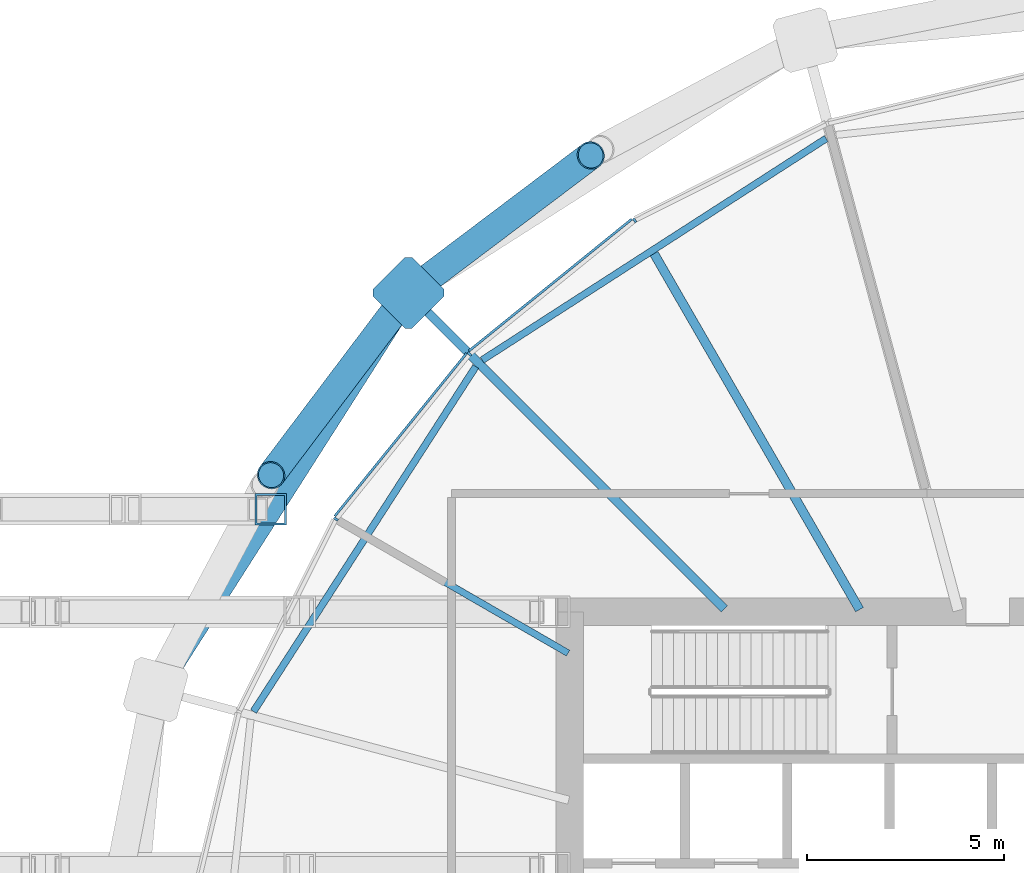
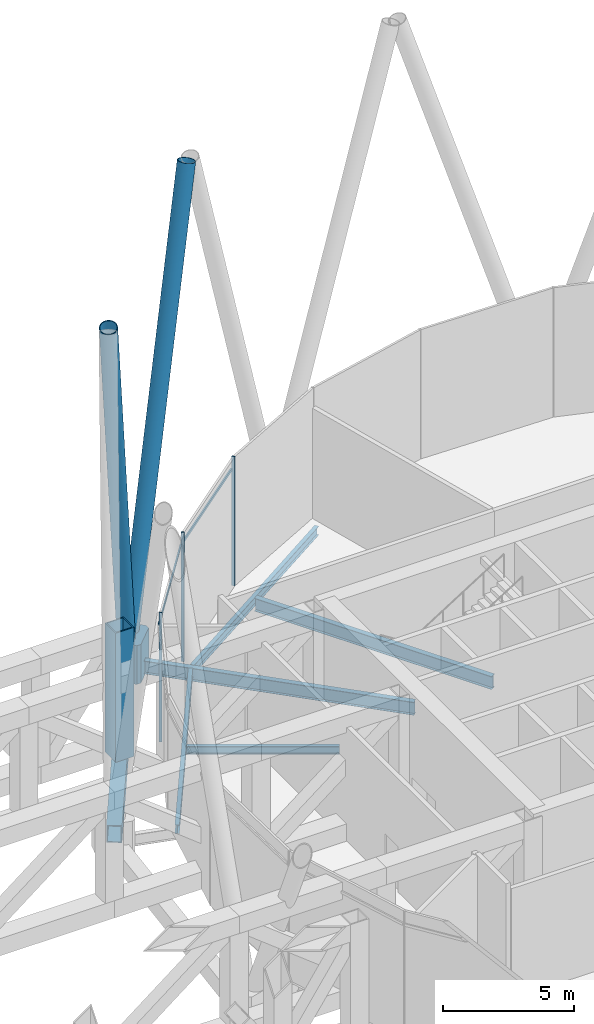
# One storey, part 25 of 39: 9 members, 6 beams, 1 element without a shape of its own.
"""IFC4 building model written with IfcOpenShell, lengths in metres."""

from ifc_helpers import new_model, si_unit, direction, frame, origin, origin_2d, place, context, subcontext, project, spatial, polyline, rectangle, hollow_rectangle, hollow_circle, i_section, outline, extrude, material, material_profile, profile_set, type_object, element, aggregate, save


model = new_model("IFC4")

# Units and contexts
model_context = context("Model", 3, precision=1e-05, world=origin(), true_north=direction((0.0, 1.0)))
body_context = subcontext(model_context, "Body", "Model", "MODEL_VIEW")
ifc_project = project(units=[si_unit("LENGTHUNIT", "METRE"), si_unit("AREAUNIT", "SQUARE_METRE"), si_unit("VOLUMEUNIT", "CUBIC_METRE"), si_unit("PLANEANGLEUNIT", "RADIAN"), si_unit("MASSUNIT", "GRAM", prefix="KILO")], contexts=[model_context])

# Site, building, storey
site_placement = place(None, origin())
site = spatial("IfcSite", under=ifc_project, at=site_placement, CompositionType="ELEMENT")
building_placement = place(site_placement, origin())
building = spatial("IfcBuilding", under=site, at=building_placement, Name="Rimbun Link Towers", CompositionType="ELEMENT")
storey_placement = place(building_placement, frame((0.0, 0.0, 127.199951171875)))
storey = spatial("IfcBuildingStorey", under=building, at=storey_placement, Name="L31", CompositionType="ELEMENT", Elevation=127.199951171875)

# Curtain wall, members
ifc_material_1 = material(Name="Aluminium 6063-T6 louvre wall", Category="aluminium")
curtain_wall_type = type_object("IfcCurtainWallType", Name="CW6 plant floor louvre wall", PredefinedType="NOTDEFINED", material=ifc_material_1)
curtain_wall_placement = place(storey_placement, origin())
curtain_wall = element("IfcCurtainWall", 1, at=curtain_wall_placement, inside=storey, type_object=curtain_wall_type, Name="CW6 L31 T2", PredefinedType="NOTDEFINED")
ifc_material_2 = material(Name="Aluminium 6063-T6", Category="aluminium")
ifc_material_profile_1 = material_profile(ifc_material_2, rectangle(XDim=0.1201171875, YDim=0.06005859375, at=origin_2d()), Name="MULLION 60X120")
ifc_profile_set_1 = profile_set([ifc_material_profile_1], Name="Aluminium 6063-T6")
member_type_1 = type_object("IfcMemberType", Name="CW6 mullion 60X120", PredefinedType="MULLION", material=ifc_profile_set_1)
member_1_placement = place(storey_placement, frame((21.394775390625, 17.9296875, 0.0), z_axis=(0.0, 0.0, 1.0), x_axis=(-0.542101203151, 0.840313206812, 0.0)))
member_1 = element("IfcMember", 2, at=member_1_placement, type_object=member_type_1, Name="CW6 mullion", PredefinedType="MULLION", context=body_context, shape_type="SweptSolid", body=[
    extrude(rectangle(XDim=0.1201171875, YDim=0.06005859375, at=origin_2d()), origin(), (0.0, 0.0, 1.0), 6.0),
])
member_2_placement = place(storey_placement, frame((17.208740234375, 14.541259765625, 0.0), z_axis=(0.0, 0.0, 1.0), x_axis=(-0.707106781187, 0.707106781187, 0.0)))
member_2 = element("IfcMember", 3, at=member_2_placement, type_object=member_type_1, Name="CW6 mullion", PredefinedType="MULLION", context=body_context, shape_type="SweptSolid", body=[
    extrude(rectangle(XDim=0.1201171875, YDim=0.06005859375, at=origin_2d()), origin(), (0.0, 0.0, 1.0), 6.0),
])
member_3_placement = place(storey_placement, frame((13.8203125, 10.355224609375, 0.0), z_axis=(0.0, 0.0, 1.0), x_axis=(-0.840313206812, 0.542101203151, 0.0)))
member_3 = element("IfcMember", 4, at=member_3_placement, type_object=member_type_1, Name="CW6 mullion", PredefinedType="MULLION", context=body_context, shape_type="SweptSolid", body=[
    extrude(rectangle(XDim=0.1201171875, YDim=0.06005859375, at=origin_2d()), origin(), (0.0, 0.0, 1.0), 6.0),
])
ifc_material_3 = material(Name="Aluminium 6063-T6", Category="aluminium")
ifc_material_profile_2 = material_profile(ifc_material_3, rectangle(XDim=0.06005859375, YDim=0.1201171875, at=origin_2d()), Name="TRANSOM 60X120")
ifc_profile_set_2 = profile_set([ifc_material_profile_2], Name="Aluminium 6063-T6")
member_type_2 = type_object("IfcMemberType", Name="CW6 transom 60X120", PredefinedType="USERDEFINED", material=ifc_profile_set_2)
member_4_placement = place(storey_placement, frame((17.192626953125, 14.618896484375, 5.400146484375), z_axis=(0.777291954435, 0.629140061967, 0.0), x_axis=(-0.629140061967, 0.777291954435, 0.0)))
member_4 = element("IfcMember", 5, at=member_4_placement, type_object=member_type_2, Name="CW6 transom", ObjectType="TRANSOM", PredefinedType="USERDEFINED", context=body_context, shape_type="SweptSolid", body=[
    extrude(rectangle(XDim=0.06005859375, YDim=0.1201171875, at=origin_2d()), origin(), (0.0, 0.0, 1.0), 5.312744140625),
])
member_5_placement = place(storey_placement, frame((13.78857421875, 10.427734375, 5.400146484375), z_axis=(0.629140061967, 0.777291954435, 0.0), x_axis=(-0.777291954435, 0.629140061967, 0.0)))
member_5 = element("IfcMember", 6, at=member_5_placement, type_object=member_type_2, Name="CW6 transom", ObjectType="TRANSOM", PredefinedType="USERDEFINED", context=body_context, shape_type="SweptSolid", body=[
    extrude(rectangle(XDim=0.06005859375, YDim=0.1201171875, at=origin_2d()), origin(), (0.0, 0.0, 1.0), 5.312744140625),
])
aggregate(curtain_wall, [member_1, member_2, member_3, member_4, member_5])

# Members
ifc_material_4 = material(Name="Steel S460NH", Category="steel")
ifc_material_profile_3 = material_profile(ifc_material_4, hollow_circle(Radius=0.355712890625, WallThickness=0.031982421875, at=origin_2d()), Name="Diagrid diagonal CHS 711x32")
ifc_profile_set_3 = profile_set([ifc_material_profile_3], Name="Steel S460NH")
member_type_3 = type_object("IfcMemberType", Name="Diagrid diagonal CHS 711x32", PredefinedType="BRACE", material=ifc_profile_set_3)
for number, where, z_axis, x_axis, name in (
    (7, (15.77587890625, 16.177001953125, 0.478515625), (0.231322497566, 0.174494571473, 0.957100593797), (-0.602212416763, 0.798335897412, 0.0), "Diagrid diagonal T2 L31-L35 06a"),
    (8, (15.572998046875, 15.97412109375, 0.478515625), (-0.174494571473, -0.231322497566, 0.957100593797), (0.798335897412, -0.602212416763, 0.0), "Diagrid diagonal T2 L31-L35 06b"),
):
    element("IfcMember", number, at=place(storey_placement, frame(where, z_axis=z_axis, x_axis=x_axis)), inside=storey, type_object=member_type_3, Name=name, PredefinedType="BRACE", context=body_context, shape_type="SweptSolid", body=[
        extrude(hollow_circle(Radius=0.355712890625, WallThickness=0.031982421875, at=origin_2d()), origin(), (0.0, 0.0, 1.0), 19.478759765625),
    ])
ifc_material_5 = material(Name="Cast steel G20Mn5+QT, Rp0.2 300 MPa", Category="steel")
ifc_material_profile_4 = material_profile(ifc_material_5, outline(polyline([(0.699951171875, -0.570068359375), (0.699951171875, 0.570068359375), (0.570068359375, 0.699951171875), (-0.570068359375, 0.699951171875), (-0.699951171875, 0.570068359375), (-0.699951171875, -0.570068359375), (-0.570068359375, -0.699951171875), (0.570068359375, -0.699951171875), (0.699951171875, -0.570068359375)])), Name="NODE 1400x1400")
ifc_profile_set_4 = profile_set([ifc_material_profile_4], Name="Cast steel G20Mn5+QT, Rp0.2 300 MPa")
member_type_4 = type_object("IfcMemberType", Name="Diagrid node cast 1400", PredefinedType="USERDEFINED", material=ifc_profile_set_4)
member_6_placement = place(storey_placement, frame((15.66015625, 16.08984375, -0.89990234375), z_axis=(0.0, 0.0, 1.0), x_axis=(-0.707106781187, 0.707106781187, 0.0)))
element("IfcMember", 9, at=member_6_placement, inside=storey, type_object=member_type_4, Name="Diagrid node L31 06", ObjectType="Diagrid node", PredefinedType="USERDEFINED", context=body_context, shape_type="SweptSolid", body=[
    extrude(outline(polyline([(0.699951171875, -0.570068359375), (0.699951171875, 0.570068359375), (0.570068359375, 0.699951171875), (-0.570068359375, 0.699951171875), (-0.699951171875, 0.570068359375), (-0.699951171875, -0.570068359375), (-0.570068359375, -0.699951171875), (0.570068359375, -0.699951171875), (0.699951171875, -0.570068359375)])), origin(), (0.0, 0.0, 1.0), 1.800048828125),
])

# Beam
ifc_material_6 = material(Name="Steel S355J2", Category="steel")
ifc_material_profile_5 = material_profile(ifc_material_6, hollow_rectangle(XDim=0.60009765625, YDim=0.800048828125, WallThickness=0.0400390625, at=origin_2d()), Name="Exoskeleton ring girder BOX 600x800x40")
ifc_profile_set_5 = profile_set([ifc_material_profile_5], Name="Steel S355J2")
beam_type_1 = type_object("IfcBeamType", Name="Exoskeleton ring girder BOX 600x800x40", PredefinedType="BEAM", material=ifc_profile_set_5)
beam_1_placement = place(storey_placement, frame((15.283935546875, 15.49951171875, -0.56005859375), z_axis=(-0.537412464454, -0.843319537927, 0.0), x_axis=(0.843319537927, -0.537412464454, 0.0)))
element("IfcBeam", 10, at=beam_1_placement, inside=storey, type_object=beam_type_1, Name="Exoskeleton ring girder L31 03", PredefinedType="BEAM", context=body_context, shape_type="SweptSolid", body=[
    extrude(hollow_rectangle(XDim=0.60009765625, YDim=0.800048828125, WallThickness=0.0400390625, at=origin_2d()), origin(), (0.0, 0.0, 1.0), 10.530029296875),
])

# Member
ifc_material_7 = material(Name="Steel S460N", Category="steel")
ifc_material_profile_6 = material_profile(ifc_material_7, hollow_rectangle(XDim=0.800048828125, YDim=0.800048828125, WallThickness=0.050048828125, at=origin_2d()), Name="Link transfer truss post BOX 800x800x50")
ifc_profile_set_6 = profile_set([ifc_material_profile_6], Name="Steel S460N")
member_type_5 = type_object("IfcMemberType", Name="Link transfer truss post BOX 800x800x50", PredefinedType="POST", material=ifc_profile_set_6)
member_7_placement = place(storey_placement, frame((12.16162109375, 10.60009765625, -0.159912109375), z_axis=(0.0, 0.0, 1.0), x_axis=(1.0, 0.0, 0.0)))
element("IfcMember", 11, at=member_7_placement, inside=storey, type_object=member_type_5, Name="Link face truss post N-06", PredefinedType="POST", context=body_context, shape_type="SweptSolid", body=[
    extrude(hollow_rectangle(XDim=0.800048828125, YDim=0.800048828125, WallThickness=0.050048828125, at=origin_2d()), origin(), (0.0, 0.0, 1.0), 6.0),
])

# Beams
ifc_material_8 = material(Name="Steel S355J2", Category="steel")
ifc_material_profile_7 = material_profile(ifc_material_8, i_section(OverallWidth=0.17138671875, OverallDepth=0.35498046875, WebThickness=0.00732421875, FlangeThickness=0.011474609375, at=origin_2d()), Name="UB 356x171x51")
ifc_profile_set_7 = profile_set([ifc_material_profile_7], Name="Steel S355J2")
beam_type_2 = type_object("IfcBeamType", Name="UB 356x171x51", PredefinedType="BEAM", material=ifc_profile_set_7)
beam_2_placement = place(storey_placement, frame((19.706298828125, 6.95361328125, -0.357421875), z_axis=(-0.866033352602, 0.499986231991, 0.0), x_axis=(-0.499986231991, -0.866033352602, 0.0)))
element("IfcBeam", 12, at=beam_2_placement, inside=storey, type_object=beam_type_2, Name="Radial beam T2 L31 07", PredefinedType="BEAM", context=body_context, shape_type="SweptSolid", body=[
    extrude(i_section(OverallWidth=0.17138671875, OverallDepth=0.35498046875, WebThickness=0.00732421875, FlangeThickness=0.011474609375, at=origin_2d()), origin(), (0.0, 0.0, 1.0), 5.822021484375),
])
ifc_material_9 = material(Name="Steel S355J2", Category="steel")
ifc_material_profile_8 = material_profile(ifc_material_9, i_section(OverallWidth=0.177978515625, OverallDepth=0.406494140625, WebThickness=0.0078125, FlangeThickness=0.0126953125, at=origin_2d()), Name="UB 406x178x60")
ifc_profile_set_8 = profile_set([ifc_material_profile_8], Name="Steel S355J2")
beam_type_3 = type_object("IfcBeamType", Name="UB 406x178x60", PredefinedType="BEAM", material=ifc_profile_set_8)
beam_3_placement = place(storey_placement, frame((26.25048828125, 20.0048828125, -0.383056640625), z_axis=(-0.840628405294, -0.541612300648, 0.0), x_axis=(0.541612300648, -0.840628405294, 0.0)))
element("IfcBeam", 13, at=beam_3_placement, inside=storey, type_object=beam_type_3, Name="Edge beam T2 L31 04-06", PredefinedType="BEAM", context=body_context, shape_type="SweptSolid", body=[
    extrude(i_section(OverallWidth=0.177978515625, OverallDepth=0.406494140625, WebThickness=0.0078125, FlangeThickness=0.0126953125, at=origin_2d()), origin(), (0.0, 0.0, 1.0), 10.376708984375),
])
beam_4_placement = place(storey_placement, frame((17.365234375, 14.222412109375, -0.383056640625), z_axis=(-0.541612190683, -0.840628476144, 0.0), x_axis=(0.840628476144, -0.541612190683, 0.0)))
element("IfcBeam", 14, at=beam_4_placement, inside=storey, type_object=beam_type_3, Name="Edge beam T2 L31 06-08", PredefinedType="BEAM", context=body_context, shape_type="SweptSolid", body=[
    extrude(i_section(OverallWidth=0.177978515625, OverallDepth=0.406494140625, WebThickness=0.0078125, FlangeThickness=0.0126953125, at=origin_2d()), origin(), (0.0, 0.0, 1.0), 10.40673828125),
])
ifc_material_10 = material(Name="Steel S355J2", Category="steel")
ifc_material_profile_9 = material_profile(ifc_material_10, i_section(OverallWidth=0.2275390625, OverallDepth=0.6025390625, WebThickness=0.010498046875, FlangeThickness=0.014892578125, at=origin_2d()), Name="UB 610x229x101")
ifc_profile_set_9 = profile_set([ifc_material_profile_9], Name="Steel S355J2")
beam_type_4 = type_object("IfcBeamType", Name="UB 610x229x101", PredefinedType="BEAM", material=ifc_profile_set_9)
beam_5_placement = place(storey_placement, frame((27.097900390625, 8.057861328125, -0.481201171875), z_axis=(-0.500013028607, 0.866017881584, 0.0), x_axis=(-0.866017881584, -0.500013028607, 0.0)))
element("IfcBeam", 15, at=beam_5_placement, inside=storey, type_object=beam_type_4, Name="Radial beam T2 L31 05", PredefinedType="BEAM", context=body_context, shape_type="SweptSolid", body=[
    extrude(i_section(OverallWidth=0.2275390625, OverallDepth=0.6025390625, WebThickness=0.010498046875, FlangeThickness=0.014892578125, at=origin_2d()), origin(), (0.0, 0.0, 1.0), 10.424560546875),
])
beam_6_placement = place(storey_placement, frame((23.668701171875, 8.081298828125, -0.481201171875), z_axis=(-0.707106781187, 0.707106781187, 0.0), x_axis=(-0.707106781187, -0.707106781187, 0.0)))
element("IfcBeam", 16, at=beam_6_placement, inside=storey, type_object=beam_type_4, Name="Radial beam T2 L31 06", PredefinedType="BEAM", context=body_context, shape_type="SweptSolid", body=[
    extrude(i_section(OverallWidth=0.2275390625, OverallDepth=0.6025390625, WebThickness=0.010498046875, FlangeThickness=0.014892578125, at=origin_2d()), origin(), (0.0, 0.0, 1.0), 10.825927734375),
])

save(model, "model.ifc")
